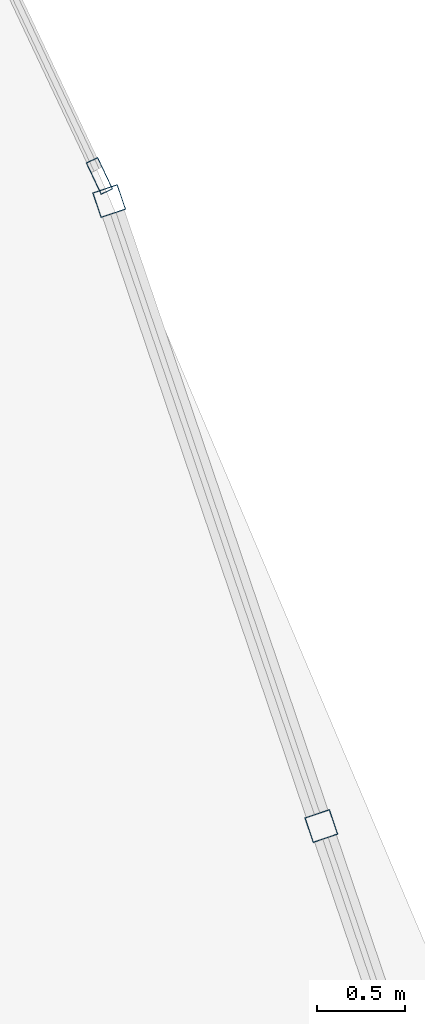
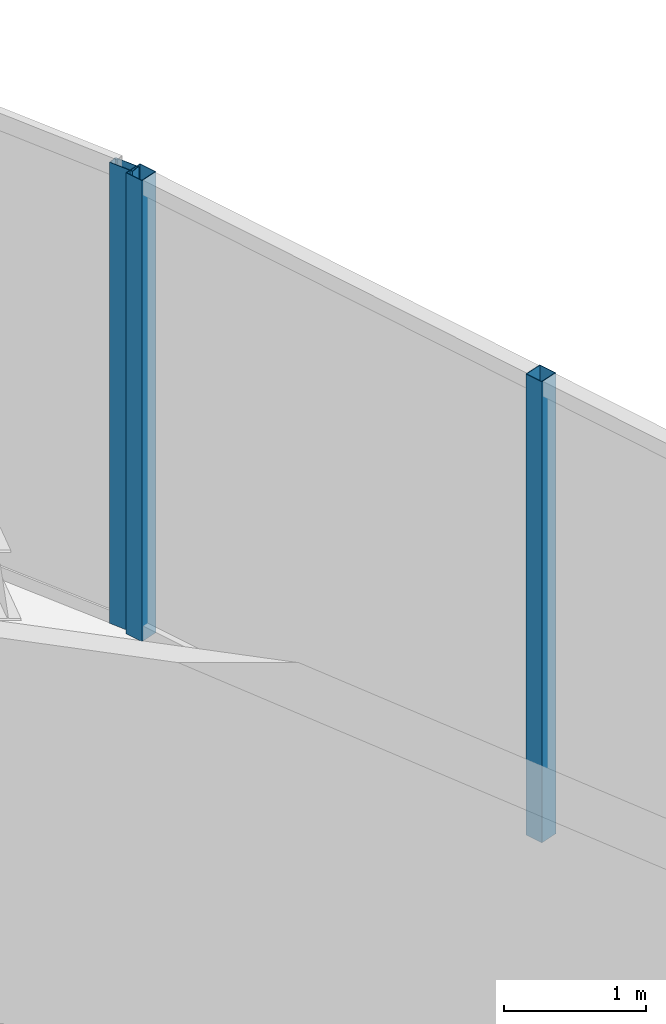
# One storey, part 15 of 33: 3 members, 2 elements without a shape of their own.
"""IFC4 building model written with IfcOpenShell, lengths in metres."""

from ifc_helpers import new_model, si_unit, direction, frame, origin, origin_2d, place, context, subcontext, project, spatial, hollow_rectangle, extrude, material, layer, layer_set, material_profile, profile_set, type_object, element, aggregate, save


model = new_model("IFC4")

# Units and contexts
model_context = context("Model", 3, precision=1e-05, world=origin(), true_north=direction((0.0, 1.0)))
body_context = subcontext(model_context, "Body", "Model", "MODEL_VIEW")
ifc_project = project(units=[si_unit("LENGTHUNIT", "METRE"), si_unit("AREAUNIT", "SQUARE_METRE"), si_unit("VOLUMEUNIT", "CUBIC_METRE"), si_unit("PLANEANGLEUNIT", "RADIAN"), si_unit("MASSUNIT", "GRAM", prefix="KILO")], contexts=[model_context])

# Site, building, storey
site_placement = place(None, origin())
site = spatial("IfcSite", under=ifc_project, at=site_placement, CompositionType="ELEMENT")
building_placement = place(site_placement, origin())
building = spatial("IfcBuilding", under=site, at=building_placement, Name="Orvanel Arch Residences", CompositionType="ELEMENT")
storey_placement = place(building_placement, frame((0.0, 0.0, 97.25)))
storey = spatial("IfcBuildingStorey", under=building, at=storey_placement, Name="L27", CompositionType="ELEMENT", Elevation=97.25)

# Curtain wall, members
ifc_material = material(Name="Bronze-anodised aluminium AA6063-T6", Category="aluminium")
ifc_layer_1 = layer(ifc_material, 0.18994140625)
ifc_layer_set_1 = layer_set([ifc_layer_1], Name="Bronze-anodised aluminium AA6063-T6")
curtain_wall_type_1 = type_object("IfcCurtainWallType", Name="CW5-CRN-SYS", PredefinedType="NOTDEFINED", material=ifc_layer_set_1)
curtain_wall_1_placement = place(storey_placement, origin())
curtain_wall_1 = element("IfcCurtainWall", 1, at=curtain_wall_1_placement, inside=storey, type_object=curtain_wall_type_1, Name="L27 CW5-CRN-SYS Unitised Curtain Wall", PredefinedType="NOTDEFINED")
ifc_material_profile_1 = material_profile(ifc_material, hollow_rectangle(XDim=0.14990234375, YDim=0.14990234375, WallThickness=0.0048828125, at=origin_2d()), Name="ALU150x150x5")
ifc_profile_set_1 = profile_set([ifc_material_profile_1], Name="Bronze-anodised aluminium AA6063-T6")
member_type_1 = type_object("IfcMemberType", Name="MUL-150x150", PredefinedType="MULLION", material=ifc_profile_set_1)
member_1_placement = place(storey_placement, frame((58.62109375, 10.251953125, 0.0), z_axis=(0.0, 0.0, 1.0), x_axis=(-0.946935888925, -0.321422498071, 0.0)))
member_1 = element("IfcMember", 2, at=member_1_placement, type_object=member_type_1, Name="CW-S5 mullion 2", PredefinedType="MULLION", context=body_context, shape_type="SweptSolid", body=[
    extrude(hollow_rectangle(XDim=0.14990234375, YDim=0.14990234375, WallThickness=0.0048828125, at=origin_2d()), origin(), (0.0, 0.0, 1.0), 3.949951171875),
])
member_2_placement = place(storey_placement, frame((57.421142578125, 13.786865234375, 0.0), z_axis=(0.0, 0.0, 1.0), x_axis=(-0.946935888925, -0.321422498071, 0.0)))
member_2 = element("IfcMember", 3, at=member_2_placement, type_object=member_type_1, Name="CW-S5 mullion 3", PredefinedType="MULLION", context=body_context, shape_type="SweptSolid", body=[
    extrude(hollow_rectangle(XDim=0.14990234375, YDim=0.14990234375, WallThickness=0.0048828125, at=origin_2d()), origin(), (0.0, 0.0, 1.0), 3.949951171875),
])
aggregate(curtain_wall_1, [member_1, member_2])

# Curtain wall, member
ifc_layer_2 = layer(ifc_material, 0.195068359375)
ifc_layer_set_2 = layer_set([ifc_layer_2], Name="Bronze-anodised aluminium AA6063-T6")
curtain_wall_type_2 = type_object("IfcCurtainWallType", Name="CW6-COM-SYS", PredefinedType="NOTDEFINED", material=ifc_layer_set_2)
curtain_wall_2_placement = place(storey_placement, origin())
curtain_wall_2 = element("IfcCurtainWall", 4, at=curtain_wall_2_placement, inside=storey, type_object=curtain_wall_type_2, Name="L27 CW6-COM-SYS Unitised Curtain Wall", PredefinedType="NOTDEFINED")
ifc_material_profile_2 = material_profile(ifc_material, hollow_rectangle(XDim=0.074951171875, YDim=0.199951171875, WallThickness=0.0048828125, at=origin_2d()), Name="ALU200x75x5")
ifc_profile_set_2 = profile_set([ifc_material_profile_2], Name="Bronze-anodised aluminium AA6063-T6")
member_type_2 = type_object("IfcMemberType", Name="MUL-200x75", PredefinedType="MULLION", material=ifc_profile_set_2)
member_3_placement = place(storey_placement, frame((57.365966796875, 13.928955078125, 0.0), z_axis=(0.0, 0.0, 1.0), x_axis=(-0.904253146381, -0.426996776639, 0.0)))
member_3 = element("IfcMember", 5, at=member_3_placement, type_object=member_type_2, Name="CW-S6 mullion 1", PredefinedType="MULLION", context=body_context, shape_type="SweptSolid", body=[
    extrude(hollow_rectangle(XDim=0.074951171875, YDim=0.199951171875, WallThickness=0.0048828125, at=origin_2d()), origin(), (0.0, 0.0, 1.0), 3.949951171875),
])
aggregate(curtain_wall_2, [member_3])

save(model, "model.ifc")
